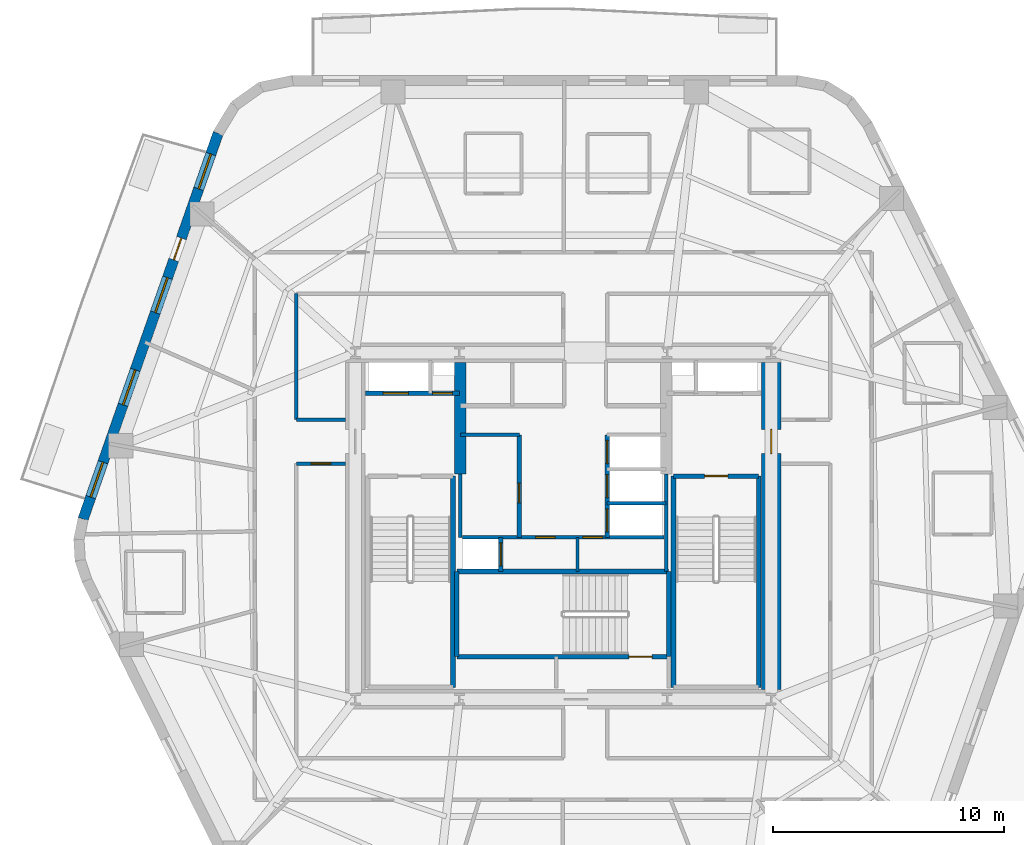
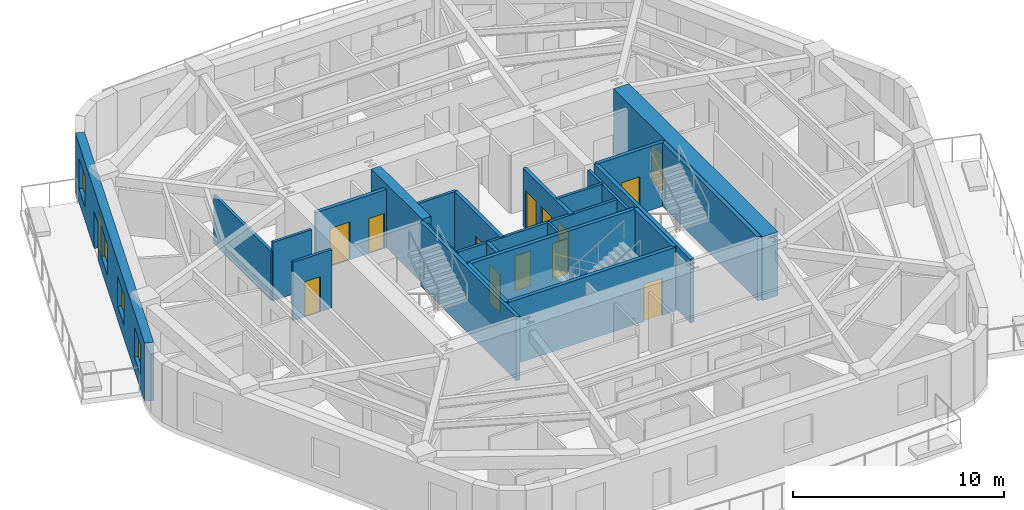
# One storey, part 4 of 11: 24 walls, 14 doors, 4 windows, 18 openings.
"""IFC4 building model written with IfcOpenShell, lengths in metres."""

import ifcopenshell
import ifcopenshell.guid

model = None  # the IFC model being written
_history = None  # IfcOwnerHistory: only IFC2X3 demands one
_inside = {}  # id of a spatial element -> (the spatial element, [elements in it])
_under = {}  # id of a project, library or spatial element -> (it, [spatial elements below it])
_declared = {}  # id of a project -> (the project, [libraries it declares])
_typed = {}  # id of a type object -> (the type object, [elements of that type])
_made_of = {}  # id of a material, layer set ... -> (it, [elements and type objects made of it])


def new_model(schema):
    """Start an empty IFC model of exactly this schema.

    Asked for "IFC4X3", IfcOpenShell would pick the latest addendum, in which some entities
    have other attributes; the version numbers below select the first issue.
    IFC2X3 requires an IfcOwnerHistory on every rooted entity: one is made here for all.
    """
    global model, _history
    if schema == "IFC4X3":
        model = ifcopenshell.file(schema_version=(4, 3, 0, 0))
    else:
        model = ifcopenshell.file(schema=schema)
    _inside.clear()
    _under.clear()
    _declared.clear()
    _typed.clear()
    _made_of.clear()
    _history = None
    if model.schema == "IFC2X3":
        org = make("IfcOrganization", Name="unknown")
        user = make(
            "IfcPersonAndOrganization",
            ThePerson=make("IfcPerson", FamilyName="unknown"),
            TheOrganization=org,
        )
        app = make(
            "IfcApplication",
            ApplicationDeveloper=org,
            Version="unknown",
            ApplicationFullName="unknown",
            ApplicationIdentifier="unknown",
        )
        _history = make(
            "IfcOwnerHistory",
            OwningUser=user,
            OwningApplication=app,
            ChangeAction="ADDED",
            CreationDate=0,
        )
    return model


def make(cls, **values):
    """One entity of the class cls with the attributes given. An attribute that is None is left unset."""
    return model.create_entity(
        cls, **{name: value for name, value in values.items() if value is not None}
    )


def rooted(cls, **values):
    """An entity with a GlobalId (a new one), such as an element, a storey or a relation."""
    return make(cls, GlobalId=ifcopenshell.guid.new(), OwnerHistory=_history, **values)


def si_unit(unit_type, name, prefix=None):
    """IfcSIUnit, for example si_unit("LENGTHUNIT", "METRE", prefix="MILLI")."""
    return make("IfcSIUnit", UnitType=unit_type, Prefix=prefix, Name=name)


def assignment(units):
    """IfcUnitAssignment: the units of a project."""
    return None if units is None else make("IfcUnitAssignment", Units=units)


def point(xyz):
    """IfcCartesianPoint."""
    return None if xyz is None else make("IfcCartesianPoint", Coordinates=xyz)


def direction(xyz):
    """IfcDirection."""
    return None if xyz is None else make("IfcDirection", DirectionRatios=xyz)


def frame(location, z_axis=None, x_axis=None):
    """IfcAxis2Placement3D, a coordinate frame: its origin and axes. An axis left out is left unset."""
    return make(
        "IfcAxis2Placement3D",
        Location=point(location),
        Axis=direction(z_axis),
        RefDirection=direction(x_axis),
    )


def frame_2d(location, x_axis=None):
    """IfcAxis2Placement2D, a coordinate frame in the plane: its origin and x axis."""
    return make(
        "IfcAxis2Placement2D", Location=point(location), RefDirection=direction(x_axis)
    )


def origin():
    """The frame at (0, 0, 0) with its axes left unset."""
    return frame((0.0, 0.0, 0.0))


def place(relative_to, where):
    """IfcLocalPlacement: puts the frame where relative to a parent placement (None: the world)."""
    return make(
        "IfcLocalPlacement", PlacementRelTo=relative_to, RelativePlacement=where
    )


def context(
    kind, dimensions, precision=None, world=None, true_north=None, identifier=None
):
    """IfcGeometricRepresentationContext, for example the 3D "Model" context."""
    return make(
        "IfcGeometricRepresentationContext",
        ContextIdentifier=identifier,
        ContextType=kind,
        CoordinateSpaceDimension=dimensions,
        Precision=precision,
        WorldCoordinateSystem=world,
        TrueNorth=true_north,
    )


def subcontext(parent, identifier, kind, view, scale=None):
    """IfcGeometricRepresentationSubContext, for example "Body" below "Model"."""
    return make(
        "IfcGeometricRepresentationSubContext",
        ContextIdentifier=identifier,
        ContextType=kind,
        ParentContext=parent,
        TargetScale=scale,
        TargetView=view,
    )


def project(units=None, contexts=None):
    """IfcProject with its units and contexts."""
    return rooted(
        "IfcProject",
        Name="project",
        RepresentationContexts=contexts,
        UnitsInContext=assignment(units),
    )


def spatial(cls, under=None, at=None, **own):
    """A site, building, storey or space (cls), placed at a placement, below another one or the project."""
    s = rooted(cls, ObjectPlacement=at, **own)
    if under is not None:
        _under.setdefault(under.id(), (under, []))[1].append(s)
    return s


def profile(cls, at=None, kind="AREA", **sizes):
    """A parametric profile (cls). Its sizes go by their IFC names, for example OverallWidth=200.0."""
    return make(cls, ProfileType=kind, Position=at, **sizes)


def rectangle(**sizes):
    """IfcRectangleProfileDef."""
    return profile("IfcRectangleProfileDef", **sizes)


def extrude(swept, where, along, depth):
    """IfcExtrudedAreaSolid: the profile swept, set in the frame where, extruded along a direction by depth."""
    return make(
        "IfcExtrudedAreaSolid",
        SweptArea=swept,
        Position=where,
        ExtrudedDirection=direction(along),
        Depth=depth,
    )


def shape(context_of_items, identifier, shape_type, items):
    """IfcShapeRepresentation: the items that make up one representation, for example the "Body"."""
    return make(
        "IfcShapeRepresentation",
        ContextOfItems=context_of_items,
        RepresentationIdentifier=identifier,
        RepresentationType=shape_type,
        Items=items,
    )


def material(Name=None, Category=None):
    """IfcMaterial."""
    return make("IfcMaterial", Name=Name, Category=Category)


def layer(
    of_material, thickness, ventilated=None, Name=None, Category=None, Priority=None
):
    """IfcMaterialLayer: one layer of a wall or slab, of a material (None: an air gap)."""
    return make(
        "IfcMaterialLayer",
        Material=of_material,
        LayerThickness=thickness,
        IsVentilated=ventilated,
        Name=Name,
        Category=Category,
        Priority=Priority,
    )


def layer_set(layers, Name=None):
    """IfcMaterialLayerSet."""
    return make("IfcMaterialLayerSet", MaterialLayers=layers, LayerSetName=Name)


def made_of(thing, what):
    """Note that an element or type object is made of a material, layer set ...; save() writes the relation."""
    if what is not None:
        _made_of.setdefault(what.id(), (what, []))[1].append(thing)
    return thing


def type_object(cls, material=None, **own):
    """A type object (cls), such as IfcWallType, which elements share."""
    return made_of(rooted(cls, **own), material)


def element(
    cls,
    number,
    at=None,
    inside=None,
    cuts=None,
    type_object=None,
    material=None,
    context=None,
    identifier="Body",
    shape_type=None,
    held_by="IfcProductDefinitionShape",
    body=None,
    shapes=None,
    **own,
):
    """One element of the class cls, such as IfcWall. Its Tag is "e" and its number.

    at: its placement. inside: the storey or other place that contains it. cuts: it is an
    opening in that element (IfcRelVoidsElement). A single representation is given by context,
    identifier, shape_type and body (its items); several are given by shapes. held_by: the class
    of the entity that holds the representations. save() writes the other relations.
    """
    e = rooted(cls, Tag="e%d" % number, ObjectPlacement=at, **own)
    if body is not None:
        shapes = [shape(context, identifier, shape_type, body)]
    if shapes is not None:
        e.Representation = make(held_by, Representations=shapes)
    if inside is not None:
        _inside.setdefault(inside.id(), (inside, []))[1].append(e)
    if cuts is not None:
        rooted(
            "IfcRelVoidsElement", RelatingBuildingElement=cuts, RelatedOpeningElement=e
        )
    if type_object is not None:
        _typed.setdefault(type_object.id(), (type_object, []))[1].append(e)
    return made_of(e, material)


def fill(opening, filler):
    """IfcRelFillsElement: the door or window that sits in an opening."""
    return rooted(
        "IfcRelFillsElement",
        RelatingOpeningElement=opening,
        RelatedBuildingElement=filler,
    )


def aggregate(whole, parts):
    """IfcRelAggregates: a whole, such as a stair, and the parts it consists of."""
    return rooted("IfcRelAggregates", RelatingObject=whole, RelatedObjects=parts)


def save(model, path):
    """Write the relations noted so far, then the file.

    IfcRelAggregates (storeys below a building ...), IfcRelContainedInSpatialStructure (elements
    in a storey), IfcRelDefinesByType, IfcRelAssociatesMaterial and IfcRelDeclares: one each for
    every whole, place, type object, material and project.
    """
    for whole, parts in _under.values():
        aggregate(whole, parts)
    for where, things in _inside.values():
        rooted(
            "IfcRelContainedInSpatialStructure",
            RelatedElements=things,
            RelatingStructure=where,
        )
    for kind, things in _typed.values():
        rooted("IfcRelDefinesByType", RelatedObjects=things, RelatingType=kind)
    for what, things in _made_of.values():
        rooted("IfcRelAssociatesMaterial", RelatedObjects=things, RelatingMaterial=what)
    for by, libraries in _declared.values():
        rooted("IfcRelDeclares", RelatingContext=by, RelatedDefinitions=libraries)
    model.write(path)


model = new_model("IFC4")

# Units and contexts
model_context = context("Model", 3, precision=1e-05, world=origin(), true_north=direction((0.0, 1.0)))
body_context = subcontext(model_context, "Body", "Model", "MODEL_VIEW")
ifc_project = project(units=[si_unit("LENGTHUNIT", "METRE"), si_unit("AREAUNIT", "SQUARE_METRE"), si_unit("VOLUMEUNIT", "CUBIC_METRE"), si_unit("PLANEANGLEUNIT", "RADIAN"), si_unit("MASSUNIT", "GRAM", prefix="KILO")], contexts=[model_context])

# Site, building, storey
site_placement = place(None, origin())
site = spatial("IfcSite", under=ifc_project, at=site_placement, CompositionType="ELEMENT")
building_placement = place(site_placement, origin())
building = spatial("IfcBuilding", under=site, at=building_placement, Name="Kilnhurst Terrace Hotel", CompositionType="ELEMENT")
storey_placement = place(building_placement, frame((0.0, 0.0, 166.5)))
storey = spatial("IfcBuildingStorey", under=building, at=storey_placement, Name="L41", CompositionType="ELEMENT", Elevation=166.5)

# Wall, openings, door, windows
ifc_material_1 = material(Name="Precast concrete C40/50", Category="concrete")
ifc_layer_1 = layer(ifc_material_1, 0.449951171875, Name="Precast concrete C40/50")
ifc_layer_set_1 = layer_set([ifc_layer_1], Name="Precast concrete C40/50")
wall_type_1 = type_object("IfcWallType", Name="WL-BRK-450", PredefinedType="SOLIDWALL", material=ifc_layer_set_1)
wall_1_placement = place(storey_placement, frame((-14.936767578125, 16.993408203125, 0.0), z_axis=(0.0, 0.0, 1.0), x_axis=(-0.330431575061, -0.943829949834, 0.0)))
wall_1 = element("IfcWall", 1, at=wall_1_placement, inside=storey, type_object=wall_type_1, Name="L41 Exterior Brick Facade Wall F5", PredefinedType="SOLIDWALL", context=body_context, shape_type="SweptSolid", body=[
    extrude(rectangle(XDim=17.68896484375, YDim=0.449951171875, at=frame_2d((8.844482421875, 0.0))), origin(), (0.0, 0.0, 1.0), 3.3798828125),
])
opening_1_placement = place(wall_1_placement, frame((4.806884765625, 0.0, 0.0)))
opening_1 = element("IfcOpeningElement", 2, at=opening_1_placement, cuts=wall_1, Name="Opening BD-1000", PredefinedType="OPENING", context=body_context, shape_type="SweptSolid", body=[
    extrude(rectangle(XDim=1.0, YDim=2.14990234375, at=frame_2d((0.5, 1.074951171875))), frame((0.0, 0.23486328125, 0.0), z_axis=(0.0, -1.0, 0.0), x_axis=(1.0, 0.0, 0.0)), (0.0, 0.0, 1.0), 0.469970703125),
])
opening_2_placement = place(wall_1_placement, frame((0.949951171875, 0.0, 0.800048828125)))
opening_2 = element("IfcOpeningElement", 3, at=opening_2_placement, cuts=wall_1, Name="Opening W-05", PredefinedType="OPENING", context=body_context, shape_type="SweptSolid", body=[
    extrude(rectangle(XDim=1.60009765625, YDim=1.75, at=frame_2d((0.800048828125, 0.875))), frame((0.0, 0.23486328125, 0.0), z_axis=(0.0, -1.0, 0.0), x_axis=(1.0, 0.0, 0.0)), (0.0, 0.0, 1.0), 0.469970703125),
])
opening_3_placement = place(wall_1_placement, frame((6.623046875, 0.0, 0.800048828125)))
opening_3 = element("IfcOpeningElement", 4, at=opening_3_placement, cuts=wall_1, Name="Opening W-05", PredefinedType="OPENING", context=body_context, shape_type="SweptSolid", body=[
    extrude(rectangle(XDim=1.60009765625, YDim=1.75, at=frame_2d((0.800048828125, 0.875))), frame((0.0, 0.23486328125, 0.0), z_axis=(0.0, -1.0, 0.0), x_axis=(1.0, 0.0, 0.0)), (0.0, 0.0, 1.0), 0.469970703125),
])
opening_4_placement = place(wall_1_placement, frame((10.84912109375, 0.0, 0.800048828125)))
opening_4 = element("IfcOpeningElement", 5, at=opening_4_placement, cuts=wall_1, Name="Opening W-05", PredefinedType="OPENING", context=body_context, shape_type="SweptSolid", body=[
    extrude(rectangle(XDim=1.60009765625, YDim=1.75, at=frame_2d((0.800048828125, 0.875))), frame((0.0, 0.23486328125, 0.0), z_axis=(0.0, -1.0, 0.0), x_axis=(1.0, 0.0, 0.0)), (0.0, 0.0, 1.0), 0.469970703125),
])
opening_5_placement = place(wall_1_placement, frame((15.083984375, 0.0, 0.800048828125)))
opening_5 = element("IfcOpeningElement", 6, at=opening_5_placement, cuts=wall_1, Name="Opening W-05", PredefinedType="OPENING", context=body_context, shape_type="SweptSolid", body=[
    extrude(rectangle(XDim=1.60009765625, YDim=1.75, at=frame_2d((0.800048828125, 0.875))), frame((0.0, 0.23486328125, 0.0), z_axis=(0.0, -1.0, 0.0), x_axis=(1.0, 0.0, 0.0)), (0.0, 0.0, 1.0), 0.469970703125),
])
ifc_material_2 = material(Name="Thermally Broken Bronze Aluminium Alloy 6063-T6 and Laminated Glass", Category="aluminium")
door_type_1 = type_object("IfcDoorType", Name="DR-EXT-BAL-1000", OperationType="NOTDEFINED", PredefinedType="DOOR", material=ifc_material_2)
door_1_placement = place(opening_1_placement, origin())
door_1 = element("IfcDoor", 7, at=door_1_placement, inside=storey, type_object=door_type_1, Name="L41 Planted Balcony Door BAL-L2B", OperationType="SINGLE_SWING_LEFT", OverallHeight=2.14990234375, OverallWidth=1.0, PredefinedType="DOOR", context=body_context, shape_type="SweptSolid", body=[
    extrude(rectangle(XDim=1.0, YDim=2.14990234375, at=frame_2d((0.5, 1.074951171875))), frame((0.0, 0.02490234375, 0.0), z_axis=(0.0, -1.0, 0.0), x_axis=(1.0, 0.0, 0.0)), (0.0, 0.0, 1.0), 0.050048828125),
])
fill(opening_1, door_1)
ifc_material_3 = material(Name="Thermally Broken Bronze Aluminium Alloy 6063-T6 and Low-E Glass", Category="aluminium")
window_type = type_object("IfcWindowType", Name="WIN-1600X1750", PartitioningType="SINGLE_PANEL", PredefinedType="WINDOW", material=ifc_material_3)
window_1_placement = place(opening_2_placement, origin())
window_1 = element("IfcWindow", 8, at=window_1_placement, inside=storey, type_object=window_type, Name="L41 Deep-Set Masonry Window F5.1", OverallHeight=1.75, OverallWidth=1.60009765625, PartitioningType="SINGLE_PANEL", PredefinedType="WINDOW", context=body_context, shape_type="SweptSolid", body=[
    extrude(rectangle(XDim=1.60009765625, YDim=1.75, at=frame_2d((0.800048828125, 0.875))), frame((0.0, 0.030029296875, 0.0), z_axis=(0.0, -1.0, 0.0), x_axis=(1.0, 0.0, 0.0)), (0.0, 0.0, 1.0), 0.06005859375),
])
fill(opening_2, window_1)
window_2_placement = place(opening_3_placement, origin())
window_2 = element("IfcWindow", 9, at=window_2_placement, inside=storey, type_object=window_type, Name="L41 Deep-Set Masonry Window F5.2", OverallHeight=1.75, OverallWidth=1.60009765625, PartitioningType="SINGLE_PANEL", PredefinedType="WINDOW", context=body_context, shape_type="SweptSolid", body=[
    extrude(rectangle(XDim=1.60009765625, YDim=1.75, at=frame_2d((0.800048828125, 0.875))), frame((0.0, 0.030029296875, 0.0), z_axis=(0.0, -1.0, 0.0), x_axis=(1.0, 0.0, 0.0)), (0.0, 0.0, 1.0), 0.06005859375),
])
fill(opening_3, window_2)
window_3_placement = place(opening_4_placement, origin())
window_3 = element("IfcWindow", 10, at=window_3_placement, inside=storey, type_object=window_type, Name="L41 Deep-Set Masonry Window F5.3", OverallHeight=1.75, OverallWidth=1.60009765625, PartitioningType="SINGLE_PANEL", PredefinedType="WINDOW", context=body_context, shape_type="SweptSolid", body=[
    extrude(rectangle(XDim=1.60009765625, YDim=1.75, at=frame_2d((0.800048828125, 0.875))), frame((0.0, 0.030029296875, 0.0), z_axis=(0.0, -1.0, 0.0), x_axis=(1.0, 0.0, 0.0)), (0.0, 0.0, 1.0), 0.06005859375),
])
fill(opening_4, window_3)
window_4_placement = place(opening_5_placement, origin())
window_4 = element("IfcWindow", 11, at=window_4_placement, inside=storey, type_object=window_type, Name="L41 Deep-Set Masonry Window F5.4", OverallHeight=1.75, OverallWidth=1.60009765625, PartitioningType="SINGLE_PANEL", PredefinedType="WINDOW", context=body_context, shape_type="SweptSolid", body=[
    extrude(rectangle(XDim=1.60009765625, YDim=1.75, at=frame_2d((0.800048828125, 0.875))), frame((0.0, 0.030029296875, 0.0), z_axis=(0.0, -1.0, 0.0), x_axis=(1.0, 0.0, 0.0)), (0.0, 0.0, 1.0), 0.06005859375),
])
fill(opening_5, window_4)

# Walls
ifc_material_4 = material(Name="Acoustic Double-Gypsum Corridor Partition Assembly")
ifc_layer_2 = layer(ifc_material_4, 0.14990234375, Name="Acoustic Double-Gypsum Corridor Partition Assembly")
ifc_layer_set_2 = layer_set([ifc_layer_2], Name="Acoustic Double-Gypsum Corridor Partition Assembly")
wall_type_2 = type_object("IfcWallType", Name="WL-COR-150", PredefinedType="PARTITIONING", material=ifc_layer_set_2)
wall_2_placement = place(storey_placement, frame((-11.550048828125, 10.050048828125, 0.0), z_axis=(0.0, 0.0, 1.0), x_axis=(0.0, -1.0, 0.0)))
element("IfcWall", 12, at=wall_2_placement, inside=storey, type_object=wall_type_2, Name="L41 Interior Wall WL-L41-COR-13", PredefinedType="PARTITIONING", context=body_context, shape_type="SweptSolid", body=[
    extrude(rectangle(XDim=5.449951171875, YDim=0.14990234375, at=frame_2d((2.72509765625, 0.0))), origin(), (0.0, 0.0, 1.0), 2.820068359375),
])
wall_3_placement = place(storey_placement, frame((-11.550048828125, 4.60009765625, 0.0), z_axis=(0.0, 0.0, 1.0), x_axis=(1.0, 0.0, 0.0)))
element("IfcWall", 13, at=wall_3_placement, inside=storey, type_object=wall_type_2, Name="L41 Interior Wall WL-L41-COR-14", PredefinedType="PARTITIONING", context=body_context, shape_type="SweptSolid", body=[
    extrude(rectangle(XDim=2.125, YDim=0.14990234375, at=frame_2d((1.0625, 0.0))), origin(), (0.0, 0.0, 1.0), 3.3798828125),
])

# Wall, opening, door
wall_4_placement = place(storey_placement, frame((-9.425048828125, 2.699951171875, 0.0), z_axis=(0.0, 0.0, 1.0), x_axis=(-1.0, 0.0, 0.0)))
wall_4 = element("IfcWall", 14, at=wall_4_placement, inside=storey, type_object=wall_type_2, Name="L41 Interior Wall WL-L41-COR-15", PredefinedType="PARTITIONING", context=body_context, shape_type="SweptSolid", body=[
    extrude(rectangle(XDim=2.125, YDim=0.14990234375, at=frame_2d((1.0625, 0.0))), origin(), (0.0, 0.0, 1.0), 3.3798828125),
])
opening_6_placement = place(wall_4_placement, frame((0.636962890625, 0.0, 0.0)))
opening_6 = element("IfcOpeningElement", 15, at=opening_6_placement, cuts=wall_4, Name="Opening D-60D", PredefinedType="OPENING", context=body_context, shape_type="SweptSolid", body=[
    extrude(rectangle(XDim=0.85009765625, YDim=2.030029296875, at=frame_2d((0.425048828125, 1.01513671875))), frame((0.0, 0.0849609375, 0.0), z_axis=(0.0, -1.0, 0.0), x_axis=(1.0, 0.0, 0.0)), (0.0, 0.0, 1.0), 0.169921875),
])
ifc_material_5 = material(Name="Painted Hollow Metal Steel ASTM A36 Riser Door", Category="steel")
door_type_2 = type_object("IfcDoorType", Name="DR-FD60-850", OperationType="NOTDEFINED", PredefinedType="DOOR", material=ifc_material_5)
door_2_placement = place(opening_6_placement, origin())
door_2 = element("IfcDoor", 16, at=door_2_placement, inside=storey, type_object=door_type_2, Name="L41 Floor Linen Storage Room Door", OperationType="SINGLE_SWING_LEFT", OverallHeight=2.030029296875, OverallWidth=0.85009765625, PredefinedType="DOOR", context=body_context, shape_type="SweptSolid", body=[
    extrude(rectangle(XDim=0.85009765625, YDim=2.030029296875, at=frame_2d((0.425048828125, 1.01513671875))), frame((0.0, 0.02490234375, 0.0), z_axis=(0.0, -1.0, 0.0), x_axis=(1.0, 0.0, 0.0)), (0.0, 0.0, 1.0), 0.050048828125),
])
fill(opening_6, door_2)

ifc_material_6 = material(Name="Concrete C80/95", Category="concrete")
ifc_layer_3 = layer(ifc_material_6, 0.85009765625, Name="Concrete C80/95")
ifc_layer_set_3 = layer_set([ifc_layer_3], Name="Concrete C80/95")
wall_type_3 = type_object("IfcWallType", Name="WL-CORE-850", PredefinedType="SHEAR", material=ifc_layer_set_3)
wall_5_placement = place(storey_placement, frame((9.0, -7.074951171875, 0.0), z_axis=(0.0, 0.0, 1.0), x_axis=(0.0, 1.0, 0.0)))
wall_5 = element("IfcWall", 17, at=wall_5_placement, inside=storey, type_object=wall_type_3, Name="L41 Core East Shear Wall", PredefinedType="SHEAR", context=body_context, shape_type="SweptSolid", body=[
    extrude(rectangle(XDim=14.14990234375, YDim=0.85009765625, at=frame_2d((7.074951171875, 0.0))), origin(), (0.0, 0.0, 1.0), 3.699951171875),
])
opening_7_placement = place(wall_5_placement, frame((10.199951171875, 0.0, 0.0)))
opening_7 = element("IfcOpeningElement", 18, at=opening_7_placement, cuts=wall_5, Name="Opening D-90A", PredefinedType="OPENING", context=body_context, shape_type="SweptSolid", body=[
    extrude(rectangle(XDim=1.050048828125, YDim=2.14990234375, at=frame_2d((0.52490234375, 1.074951171875))), frame((0.0, 0.43505859375, 0.0), z_axis=(0.0, -1.0, 0.0), x_axis=(1.0, 0.0, 0.0)), (0.0, 0.0, 1.0), 0.8701171875),
])
ifc_material_7 = material(Name="Painted Hollow Metal Steel ASTM A36 Fire Door", Category="steel")
door_type_3 = type_object("IfcDoorType", Name="DR-FD90-1050", OperationType="NOTDEFINED", PredefinedType="DOOR", material=ifc_material_7)
door_3_placement = place(opening_7_placement, origin())
door_3 = element("IfcDoor", 19, at=door_3_placement, inside=storey, type_object=door_type_3, Name="L41 East Firefighting Lobby Door", OperationType="SINGLE_SWING_LEFT", OverallHeight=2.14990234375, OverallWidth=1.050048828125, PredefinedType="DOOR", context=body_context, shape_type="SweptSolid", body=[
    extrude(rectangle(XDim=1.050048828125, YDim=2.14990234375, at=frame_2d((0.52490234375, 1.074951171875))), frame((0.0, 0.02490234375, 0.0), z_axis=(0.0, -1.0, 0.0), x_axis=(1.0, 0.0, 0.0)), (0.0, 0.0, 1.0), 0.050048828125),
])
fill(opening_7, door_3)

# Walls
ifc_material_8 = material(Name="Concrete C60/75", Category="concrete")
ifc_layer_4 = layer(ifc_material_8, 0.5, Name="Concrete C60/75")
ifc_layer_set_4 = layer_set([ifc_layer_4], Name="Concrete C60/75")
wall_type_4 = type_object("IfcWallType", Name="WL-CORE-WEB-500", PredefinedType="SHEAR", material=ifc_layer_set_4)
wall_6_placement = place(storey_placement, frame((-4.449951171875, 2.25, 0.0), z_axis=(0.0, 0.0, 1.0), x_axis=(0.0, 1.0, 0.0)))
element("IfcWall", 20, at=wall_6_placement, inside=storey, type_object=wall_type_4, Name="L41 Core Internal West Shear Web", PredefinedType="SHEAR", context=body_context, shape_type="SweptSolid", body=[
    extrude(rectangle(XDim=4.824951171875, YDim=0.5, at=frame_2d((2.41259765625, 0.0))), origin(), (0.0, 0.0, 1.0), 3.699951171875),
])
ifc_material_9 = material(Name="120 mm Moisture-Resistant Tile-Backed Bathroom Partition")
ifc_layer_5 = layer(ifc_material_9, 0.1201171875, Name="120 mm Moisture-Resistant Tile-Backed Bathroom Partition")
ifc_layer_set_5 = layer_set([ifc_layer_5], Name="120 mm Moisture-Resistant Tile-Backed Bathroom Partition")
wall_type_5 = type_object("IfcWallType", Name="WL-PART-120", PredefinedType="PARTITIONING", material=ifc_layer_set_5)
wall_7_placement = place(storey_placement, frame((0.6201171875, -1.971923828125, 0.0), z_axis=(0.0, 0.0, 1.0), x_axis=(0.0, 1.0, 0.0)))
element("IfcWall", 21, at=wall_7_placement, inside=storey, type_object=wall_type_5, Name="L41 Interior Wall WL-L41-BOH-C1", PredefinedType="PARTITIONING", context=body_context, shape_type="SweptSolid", body=[
    extrude(rectangle(XDim=1.471923828125, YDim=0.1201171875, at=frame_2d((0.73583984375, 0.0))), origin(), (0.0, 0.0, 1.0), 3.3798828125),
])
ifc_material_10 = material(Name="Fire-Rated Gypsum Shaftliner Assembly")
ifc_layer_6 = layer(ifc_material_10, 0.14990234375, Name="Fire-Rated Gypsum Shaftliner Assembly")
ifc_layer_set_6 = layer_set([ifc_layer_6], Name="Fire-Rated Gypsum Shaftliner Assembly")
wall_type_6 = type_object("IfcWallType", Name="WL-SHAFT-150", PredefinedType="PARTITIONING", material=ifc_layer_set_6)
wall_8_placement = place(storey_placement, frame((-4.449951171875, -0.5, 0.0), z_axis=(0.0, 0.0, 1.0), x_axis=(0.0, 1.0, 0.0)))
element("IfcWall", 22, at=wall_8_placement, inside=storey, type_object=wall_type_6, Name="L41 Interior Wall WL-L41-XLOB-W", PredefinedType="PARTITIONING", context=body_context, shape_type="SweptSolid", body=[
    extrude(rectangle(XDim=2.75, YDim=0.14990234375, at=frame_2d((1.375, 0.0))), origin(), (0.0, 0.0, 1.0), 3.3798828125),
])
wall_9_placement = place(storey_placement, frame((4.449951171875, -1.971923828125, 0.0), z_axis=(0.0, 0.0, 1.0), x_axis=(0.0, 1.0, 0.0)))
element("IfcWall", 23, at=wall_9_placement, inside=storey, type_object=wall_type_6, Name="L41 Interior Wall WL-L41-XLOB-E", PredefinedType="PARTITIONING", context=body_context, shape_type="SweptSolid", body=[
    extrude(rectangle(XDim=4.221923828125, YDim=0.14990234375, at=frame_2d((2.11083984375, 0.0))), origin(), (0.0, 0.0, 1.0), 3.3798828125),
])
for number, where, z_axis, x_axis, name in (
    (24, (-4.449951171875, 3.93994140625, 0.0), (0.0, 0.0, 1.0), (1.0, 0.0, 0.0), "L41 Interior Wall WL-L41-LR-NORTH"),
    (25, (1.89990234375, 0.97998046875, 0.0), (0.0, 0.0, 1.0), (1.0, 0.0, 0.0), "L41 Interior Wall WL-L41-MR-D1"),
):
    element("IfcWall", number, at=place(storey_placement, frame(where, z_axis=z_axis, x_axis=x_axis)), inside=storey, type_object=wall_type_6, Name=name, PredefinedType="PARTITIONING", context=body_context, shape_type="SweptSolid", body=[
        extrude(rectangle(XDim=2.550048828125, YDim=0.14990234375, at=frame_2d((1.27490234375, 0.0))), origin(), (0.0, 0.0, 1.0), 3.3798828125),
    ])

# Wall, openings, doors
wall_10_placement = place(storey_placement, frame((-4.360107421875, -0.489990234375, 0.0), z_axis=(0.0, 0.0, 1.0), x_axis=(1.0, 0.0, 0.0)))
wall_10 = element("IfcWall", 26, at=wall_10_placement, inside=storey, type_object=wall_type_6, Name="L41 Interior Wall WL-L41-BOH-N", PredefinedType="PARTITIONING", context=body_context, shape_type="SweptSolid", body=[
    extrude(rectangle(XDim=8.72021484375, YDim=0.14990234375, at=frame_2d((4.360107421875, 0.0))), origin(), (0.0, 0.0, 1.0), 3.3798828125),
])
opening_8_placement = place(wall_10_placement, frame((3.159912109375, 0.0, 0.0)))
opening_8 = element("IfcOpeningElement", 27, at=opening_8_placement, cuts=wall_10, Name="Opening D-60D", PredefinedType="OPENING", context=body_context, shape_type="SweptSolid", body=[
    extrude(rectangle(XDim=0.85009765625, YDim=2.030029296875, at=frame_2d((0.425048828125, 1.01513671875))), frame((0.0, 0.0849609375, 0.0), z_axis=(0.0, -1.0, 0.0), x_axis=(1.0, 0.0, 0.0)), (0.0, 0.0, 1.0), 0.169921875),
])
opening_9_placement = place(wall_10_placement, frame((5.2099609375, 0.0, 0.0)))
opening_9 = element("IfcOpeningElement", 28, at=opening_9_placement, cuts=wall_10, Name="Opening D-60D", PredefinedType="OPENING", context=body_context, shape_type="SweptSolid", body=[
    extrude(rectangle(XDim=0.85009765625, YDim=2.030029296875, at=frame_2d((0.425048828125, 1.01513671875))), frame((0.0, 0.0849609375, 0.0), z_axis=(0.0, -1.0, 0.0), x_axis=(1.0, 0.0, 0.0)), (0.0, 0.0, 1.0), 0.169921875),
])
door_4_placement = place(opening_8_placement, origin())
door_4 = element("IfcDoor", 29, at=door_4_placement, inside=storey, type_object=door_type_2, Name="L41 Housekeeping Laundry Door", OperationType="SINGLE_SWING_LEFT", OverallHeight=2.030029296875, OverallWidth=0.85009765625, PredefinedType="DOOR", context=body_context, shape_type="SweptSolid", body=[
    extrude(rectangle(XDim=0.85009765625, YDim=2.030029296875, at=frame_2d((0.425048828125, 1.01513671875))), frame((0.0, 0.02490234375, 0.0), z_axis=(0.0, -1.0, 0.0), x_axis=(1.0, 0.0, 0.0)), (0.0, 0.0, 1.0), 0.050048828125),
])
fill(opening_8, door_4)
door_5_placement = place(opening_9_placement, origin())
door_5 = element("IfcDoor", 30, at=door_5_placement, inside=storey, type_object=door_type_2, Name="L41 Room Service Kitchen Door", OperationType="SINGLE_SWING_RIGHT", OverallHeight=2.030029296875, OverallWidth=0.85009765625, PredefinedType="DOOR", context=body_context, shape_type="SweptSolid", body=[
    extrude(rectangle(XDim=0.85009765625, YDim=2.030029296875, at=frame_2d((0.425048828125, 1.01513671875))), frame((0.0, 0.02490234375, 0.0), z_axis=(0.0, -1.0, 0.0), x_axis=(1.0, 0.0, 0.0)), (0.0, 0.0, 1.0), 0.050048828125),
])
fill(opening_9, door_5)

ifc_material_11 = material(Name="Autoclaved Aerated Concrete C30/37 and Gypsum Shaft Assembly", Category="concrete")
ifc_layer_7 = layer(ifc_material_11, 0.199951171875, Name="Autoclaved Aerated Concrete C30/37 and Gypsum Shaft Assembly")
ifc_layer_set_7 = layer_set([ifc_layer_7], Name="Autoclaved Aerated Concrete C30/37 and Gypsum Shaft Assembly")
wall_type_7 = type_object("IfcWallType", Name="WL-SHAFT-200", PredefinedType="PARTITIONING", material=ifc_layer_set_7)
wall_11_placement = place(storey_placement, frame((-8.550048828125, 5.739990234375, 0.0), z_axis=(0.0, 0.0, 1.0), x_axis=(1.0, 0.0, 0.0)))
wall_11 = element("IfcWall", 31, at=wall_11_placement, inside=storey, type_object=wall_type_7, Name="L41 Interior Wall WL-L41-FSAE1-S", PredefinedType="PARTITIONING", context=body_context, shape_type="SweptSolid", body=[
    extrude(rectangle(XDim=4.050048828125, YDim=0.199951171875, at=frame_2d((2.02490234375, 0.0))), origin(), (0.0, 0.0, 1.0), 3.3798828125),
])
opening_10_placement = place(wall_11_placement, frame((0.75, 0.0, 0.0)))
opening_10 = element("IfcOpeningElement", 32, at=opening_10_placement, cuts=wall_11, Name="Opening LD-F1", PredefinedType="OPENING", context=body_context, shape_type="SweptSolid", body=[
    extrude(rectangle(XDim=1.10009765625, YDim=2.199951171875, at=frame_2d((0.550048828125, 1.10009765625))), frame((0.0, 0.10986328125, 0.0), z_axis=(0.0, -1.0, 0.0), x_axis=(1.0, 0.0, 0.0)), (0.0, 0.0, 1.0), 0.219970703125),
])
opening_11_placement = place(wall_11_placement, frame((2.89990234375, 0.0, 0.0)))
opening_11 = element("IfcOpeningElement", 33, at=opening_11_placement, cuts=wall_11, Name="Opening D-60D", PredefinedType="OPENING", context=body_context, shape_type="SweptSolid", body=[
    extrude(rectangle(XDim=0.85009765625, YDim=2.030029296875, at=frame_2d((0.425048828125, 1.01513671875))), frame((0.0, 0.10986328125, 0.0), z_axis=(0.0, -1.0, 0.0), x_axis=(1.0, 0.0, 0.0)), (0.0, 0.0, 1.0), 0.219970703125),
])
door_6_placement = place(opening_11_placement, origin())
door_6 = element("IfcDoor", 34, at=door_6_placement, inside=storey, type_object=door_type_2, Name="L41 Electrical Riser Door", OperationType="SINGLE_SWING_LEFT", OverallHeight=2.030029296875, OverallWidth=0.85009765625, PredefinedType="DOOR", context=body_context, shape_type="SweptSolid", body=[
    extrude(rectangle(XDim=0.85009765625, YDim=2.030029296875, at=frame_2d((0.425048828125, 1.01513671875))), frame((0.0, 0.02490234375, 0.0), z_axis=(0.0, -1.0, 0.0), x_axis=(1.0, 0.0, 0.0)), (0.0, 0.0, 1.0), 0.050048828125),
])
fill(opening_11, door_6)
ifc_material_12 = material(Name="Bronze-Anodized Stainless Steel AISI 316L Sliding Door", Category="steel")
door_type_4 = type_object("IfcDoorType", Name="DR-LIFT-1100", OperationType="NOTDEFINED", PredefinedType="DOOR", material=ifc_material_12)
door_7_placement = place(opening_10_placement, origin())
door_7 = element("IfcDoor", 35, at=door_7_placement, inside=storey, type_object=door_type_4, Name="L41 FSAE-1 Landing Door", OperationType="SLIDING_TO_LEFT", OverallHeight=2.199951171875, OverallWidth=1.10009765625, PredefinedType="DOOR", context=body_context, shape_type="SweptSolid", body=[
    extrude(rectangle(XDim=1.10009765625, YDim=2.199951171875, at=frame_2d((0.550048828125, 1.10009765625))), frame((0.0, 0.02490234375, 0.0), z_axis=(0.0, -1.0, 0.0), x_axis=(1.0, 0.0, 0.0)), (0.0, 0.0, 1.0), 0.050048828125),
])
fill(opening_10, door_7)

# Wall, opening, door
wall_12_placement = place(storey_placement, frame((-2.699951171875, -1.971923828125, 0.0), z_axis=(0.0, 0.0, 1.0), x_axis=(0.0, 1.0, 0.0)))
wall_12 = element("IfcWall", 36, at=wall_12_placement, inside=storey, type_object=wall_type_7, Name="L41 Interior Wall WL-L41-SRV1-E", PredefinedType="PARTITIONING", context=body_context, shape_type="SweptSolid", body=[
    extrude(rectangle(XDim=1.471923828125, YDim=0.199951171875, at=frame_2d((0.73583984375, 0.0))), origin(), (0.0, 0.0, 1.0), 3.3798828125),
])
opening_12_placement = place(wall_12_placement, frame((0.239990234375, 0.0, 0.0)))
opening_12 = element("IfcOpeningElement", 37, at=opening_12_placement, cuts=wall_12, Name="Opening LD-SV", PredefinedType="OPENING", context=body_context, shape_type="SweptSolid", body=[
    extrude(rectangle(XDim=1.0, YDim=2.199951171875, at=frame_2d((0.5, 1.10009765625))), frame((0.0, 0.10986328125, 0.0), z_axis=(0.0, -1.0, 0.0), x_axis=(1.0, 0.0, 0.0)), (0.0, 0.0, 1.0), 0.219970703125),
])
door_type_5 = type_object("IfcDoorType", Name="DR-LIFT-1000", OperationType="NOTDEFINED", PredefinedType="DOOR", material=ifc_material_12)
door_8_placement = place(opening_12_placement, origin())
door_8 = element("IfcDoor", 38, at=door_8_placement, inside=storey, type_object=door_type_5, Name="L41 Service Lift SRV-1 Landing Door", OperationType="SLIDING_TO_LEFT", OverallHeight=2.199951171875, OverallWidth=1.0, PredefinedType="DOOR", context=body_context, shape_type="SweptSolid", body=[
    extrude(rectangle(XDim=1.0, YDim=2.199951171875, at=frame_2d((0.5, 1.10009765625))), frame((0.0, 0.02490234375, 0.0), z_axis=(0.0, -1.0, 0.0), x_axis=(1.0, 0.0, 0.0)), (0.0, 0.0, 1.0), 0.050048828125),
])
fill(opening_12, door_8)

wall_13_placement = place(storey_placement, frame((-1.89990234375, -0.5, 0.0), z_axis=(0.0, 0.0, 1.0), x_axis=(0.0, 1.0, 0.0)))
wall_13 = element("IfcWall", 39, at=wall_13_placement, inside=storey, type_object=wall_type_7, Name="L41 Interior Wall WL-L41-LR-FRONT", PredefinedType="PARTITIONING", context=body_context, shape_type="SweptSolid", body=[
    extrude(rectangle(XDim=4.43994140625, YDim=0.199951171875, at=frame_2d((2.219970703125, 0.0))), origin(), (0.0, 0.0, 1.0), 3.3798828125),
])
opening_13_placement = place(wall_13_placement, frame((1.5, 0.0, 0.0)))
opening_13 = element("IfcOpeningElement", 40, at=opening_13_placement, cuts=wall_13, Name="Opening D-60D", PredefinedType="OPENING", context=body_context, shape_type="SweptSolid", body=[
    extrude(rectangle(XDim=0.85009765625, YDim=2.030029296875, at=frame_2d((0.425048828125, 1.01513671875))), frame((0.0, 0.10986328125, 0.0), z_axis=(0.0, -1.0, 0.0), x_axis=(1.0, 0.0, 0.0)), (0.0, 0.0, 1.0), 0.219970703125),
])
door_9_placement = place(opening_13_placement, origin())
door_9 = element("IfcDoor", 41, at=door_9_placement, inside=storey, type_object=door_type_2, Name="L41 Reclaimed Linen Room Door", OperationType="SINGLE_SWING_LEFT", OverallHeight=2.030029296875, OverallWidth=0.85009765625, PredefinedType="DOOR", context=body_context, shape_type="SweptSolid", body=[
    extrude(rectangle(XDim=0.85009765625, YDim=2.030029296875, at=frame_2d((0.425048828125, 1.01513671875))), frame((0.0, 0.02490234375, 0.0), z_axis=(0.0, -1.0, 0.0), x_axis=(1.0, 0.0, 0.0)), (0.0, 0.0, 1.0), 0.050048828125),
])
fill(opening_13, door_9)

# Wall, openings, doors
wall_14_placement = place(storey_placement, frame((1.89990234375, -0.5, 0.0), z_axis=(0.0, 0.0, 1.0), x_axis=(0.0, 1.0, 0.0)))
wall_14 = element("IfcWall", 42, at=wall_14_placement, inside=storey, type_object=wall_type_7, Name="L41 Interior Wall WL-L41-MR-FRONT", PredefinedType="PARTITIONING", context=body_context, shape_type="SweptSolid", body=[
    extrude(rectangle(XDim=4.43994140625, YDim=0.199951171875, at=frame_2d((2.219970703125, 0.0))), origin(), (0.0, 0.0, 1.0), 3.3798828125),
])
opening_14_placement = place(wall_14_placement, frame((0.239990234375, 0.0, 0.0)))
opening_14 = element("IfcOpeningElement", 43, at=opening_14_placement, cuts=wall_14, Name="Opening LD-MR", PredefinedType="OPENING", context=body_context, shape_type="SweptSolid", body=[
    extrude(rectangle(XDim=1.0, YDim=2.199951171875, at=frame_2d((0.5, 1.10009765625))), frame((0.0, 0.10986328125, 0.0), z_axis=(0.0, -1.0, 0.0), x_axis=(1.0, 0.0, 0.0)), (0.0, 0.0, 1.0), 0.219970703125),
])
opening_15_placement = place(wall_14_placement, frame((1.719970703125, 0.0, 0.0)))
opening_15 = element("IfcOpeningElement", 44, at=opening_15_placement, cuts=wall_14, Name="Opening LD-MR", PredefinedType="OPENING", context=body_context, shape_type="SweptSolid", body=[
    extrude(rectangle(XDim=1.0, YDim=2.199951171875, at=frame_2d((0.5, 1.10009765625))), frame((0.0, 0.10986328125, 0.0), z_axis=(0.0, -1.0, 0.0), x_axis=(1.0, 0.0, 0.0)), (0.0, 0.0, 1.0), 0.219970703125),
])
opening_16_placement = place(wall_14_placement, frame((3.199951171875, 0.0, 0.0)))
opening_16 = element("IfcOpeningElement", 45, at=opening_16_placement, cuts=wall_14, Name="Opening LD-MR", PredefinedType="OPENING", context=body_context, shape_type="SweptSolid", body=[
    extrude(rectangle(XDim=1.0, YDim=2.199951171875, at=frame_2d((0.5, 1.10009765625))), frame((0.0, 0.10986328125, 0.0), z_axis=(0.0, -1.0, 0.0), x_axis=(1.0, 0.0, 0.0)), (0.0, 0.0, 1.0), 0.219970703125),
])
door_10_placement = place(opening_14_placement, origin())
door_10 = element("IfcDoor", 46, at=door_10_placement, inside=storey, type_object=door_type_5, Name="L41 Mid Rise Lift MR-1 Landing Door", OperationType="SLIDING_TO_RIGHT", OverallHeight=2.199951171875, OverallWidth=1.0, PredefinedType="DOOR", context=body_context, shape_type="SweptSolid", body=[
    extrude(rectangle(XDim=1.0, YDim=2.199951171875, at=frame_2d((0.5, 1.10009765625))), frame((0.0, 0.02490234375, 0.0), z_axis=(0.0, -1.0, 0.0), x_axis=(1.0, 0.0, 0.0)), (0.0, 0.0, 1.0), 0.050048828125),
])
fill(opening_14, door_10)
door_11_placement = place(opening_15_placement, origin())
door_11 = element("IfcDoor", 47, at=door_11_placement, inside=storey, type_object=door_type_5, Name="L41 Mid Rise Lift MR-2 Landing Door", OperationType="SLIDING_TO_RIGHT", OverallHeight=2.199951171875, OverallWidth=1.0, PredefinedType="DOOR", context=body_context, shape_type="SweptSolid", body=[
    extrude(rectangle(XDim=1.0, YDim=2.199951171875, at=frame_2d((0.5, 1.10009765625))), frame((0.0, 0.02490234375, 0.0), z_axis=(0.0, -1.0, 0.0), x_axis=(1.0, 0.0, 0.0)), (0.0, 0.0, 1.0), 0.050048828125),
])
fill(opening_15, door_11)
door_12_placement = place(opening_16_placement, origin())
door_12 = element("IfcDoor", 48, at=door_12_placement, inside=storey, type_object=door_type_5, Name="L41 Mid Rise Lift MR-3 Landing Door", OperationType="SLIDING_TO_RIGHT", OverallHeight=2.199951171875, OverallWidth=1.0, PredefinedType="DOOR", context=body_context, shape_type="SweptSolid", body=[
    extrude(rectangle(XDim=1.0, YDim=2.199951171875, at=frame_2d((0.5, 1.10009765625))), frame((0.0, 0.02490234375, 0.0), z_axis=(0.0, -1.0, 0.0), x_axis=(1.0, 0.0, 0.0)), (0.0, 0.0, 1.0), 0.050048828125),
])
fill(opening_16, door_12)

# Walls
ifc_material_13 = material(Name="Concrete C50/60", Category="concrete")
ifc_layer_8 = layer(ifc_material_13, 0.199951171875, Name="Concrete C50/60")
ifc_layer_set_8 = layer_set([ifc_layer_8], Name="Concrete C50/60")
wall_type_8 = type_object("IfcWallType", Name="WL-STAIR-RC-200", PredefinedType="SHEAR", material=ifc_layer_set_8)
for number, where, z_axis, x_axis, name in (
    (49, (-4.77197265625, -6.985107421875, 0.0), (0.0, 0.0, 1.0), (0.0, 1.0, 0.0), "L41 Structural Stair Shaft Wall WL-L41-ST1-E"),
    (50, (4.77197265625, -6.985107421875, 0.0), (0.0, 0.0, 1.0), (0.0, 1.0, 0.0), "L41 Structural Stair Shaft Wall WL-L41-ST2-W"),
    (51, (8.4580078125, -6.985107421875, 0.0), (0.0, 0.0, 1.0), (0.0, 1.0, 0.0), "L41 Structural Stair Shaft Wall WL-L41-ST2-E"),
):
    element("IfcWall", number, at=place(storey_placement, frame(where, z_axis=z_axis, x_axis=x_axis)), inside=storey, type_object=wall_type_8, Name=name, PredefinedType="SHEAR", context=body_context, shape_type="SweptSolid", body=[
        extrude(rectangle(XDim=9.14306640625, YDim=0.199951171875, at=frame_2d((4.571533203125, 0.0))), origin(), (0.0, 0.0, 1.0), 3.699951171875),
    ])

# Wall, opening, door
wall_15_placement = place(storey_placement, frame((4.77197265625, 2.157958984375, 0.0), z_axis=(0.0, 0.0, 1.0), x_axis=(1.0, 0.0, 0.0)))
wall_15 = element("IfcWall", 52, at=wall_15_placement, inside=storey, type_object=wall_type_8, Name="L41 Structural Stair Shaft Wall WL-L41-ST2-N", PredefinedType="SHEAR", context=body_context, shape_type="SweptSolid", body=[
    extrude(rectangle(XDim=3.68603515625, YDim=0.199951171875, at=frame_2d((1.843017578125, 0.0))), origin(), (0.0, 0.0, 1.0), 3.699951171875),
])
opening_17_placement = place(wall_15_placement, frame((1.35009765625, 0.0, 0.0)))
opening_17 = element("IfcOpeningElement", 53, at=opening_17_placement, cuts=wall_15, Name="Opening D-90B", PredefinedType="OPENING", context=body_context, shape_type="SweptSolid", body=[
    extrude(rectangle(XDim=1.0, YDim=2.14990234375, at=frame_2d((0.5, 1.074951171875))), frame((0.0, 0.10986328125, 0.0), z_axis=(0.0, -1.0, 0.0), x_axis=(1.0, 0.0, 0.0)), (0.0, 0.0, 1.0), 0.219970703125),
])
door_type_6 = type_object("IfcDoorType", Name="DR-FD90-1000", OperationType="NOTDEFINED", PredefinedType="DOOR", material=ifc_material_7)
door_13_placement = place(opening_17_placement, origin())
door_13 = element("IfcDoor", 54, at=door_13_placement, inside=storey, type_object=door_type_6, Name="L41 Stair ST-2 Door", OperationType="SINGLE_SWING_RIGHT", OverallHeight=2.14990234375, OverallWidth=1.0, PredefinedType="DOOR", context=body_context, shape_type="SweptSolid", body=[
    extrude(rectangle(XDim=1.0, YDim=2.14990234375, at=frame_2d((0.5, 1.074951171875))), frame((0.0, 0.02490234375, 0.0), z_axis=(0.0, -1.0, 0.0), x_axis=(1.0, 0.0, 0.0)), (0.0, 0.0, 1.0), 0.050048828125),
])
fill(opening_17, door_13)

# Wall
wall_16_placement = place(storey_placement, frame((-4.60791015625, -5.657958984375, 0.0), z_axis=(0.0, 0.0, 1.0), x_axis=(0.0, 1.0, 0.0)))
element("IfcWall", 55, at=wall_16_placement, inside=storey, type_object=wall_type_8, Name="L41 Structural Stair Shaft Wall WL-L41-ST3-W", PredefinedType="SHEAR", context=body_context, shape_type="SweptSolid", body=[
    extrude(rectangle(XDim=3.68603515625, YDim=0.199951171875, at=frame_2d((1.843017578125, 0.0))), origin(), (0.0, 0.0, 1.0), 3.699951171875),
])

# Wall, opening, door
wall_17_placement = place(storey_placement, frame((-4.60791015625, -5.657958984375, 0.0), z_axis=(0.0, 0.0, 1.0), x_axis=(1.0, 0.0, 0.0)))
wall_17 = element("IfcWall", 56, at=wall_17_placement, inside=storey, type_object=wall_type_8, Name="L41 Structural Stair Shaft Wall WL-L41-ST3-S", PredefinedType="SHEAR", context=body_context, shape_type="SweptSolid", body=[
    extrude(rectangle(XDim=9.166015625, YDim=0.199951171875, at=frame_2d((4.5830078125, 0.0))), origin(), (0.0, 0.0, 1.0), 3.699951171875),
])
opening_18_placement = place(wall_17_placement, frame((7.449951171875, 0.0, 0.0)))
opening_18 = element("IfcOpeningElement", 57, at=opening_18_placement, cuts=wall_17, Name="Opening D-90B", PredefinedType="OPENING", context=body_context, shape_type="SweptSolid", body=[
    extrude(rectangle(XDim=1.0, YDim=2.14990234375, at=frame_2d((0.5, 1.074951171875))), frame((0.0, 0.10986328125, 0.0), z_axis=(0.0, -1.0, 0.0), x_axis=(1.0, 0.0, 0.0)), (0.0, 0.0, 1.0), 0.219970703125),
])
door_14_placement = place(opening_18_placement, origin())
door_14 = element("IfcDoor", 58, at=door_14_placement, inside=storey, type_object=door_type_6, Name="L41 Stair ST-3 Shaft Door", OperationType="SINGLE_SWING_LEFT", OverallHeight=2.14990234375, OverallWidth=1.0, PredefinedType="DOOR", context=body_context, shape_type="SweptSolid", body=[
    extrude(rectangle(XDim=1.0, YDim=2.14990234375, at=frame_2d((0.5, 1.074951171875))), frame((0.0, 0.02490234375, 0.0), z_axis=(0.0, -1.0, 0.0), x_axis=(1.0, 0.0, 0.0)), (0.0, 0.0, 1.0), 0.050048828125),
])
fill(opening_18, door_14)

# Walls
wall_18_placement = place(storey_placement, frame((-4.60791015625, -1.971923828125, 0.0), z_axis=(0.0, 0.0, 1.0), x_axis=(1.0, 0.0, 0.0)))
element("IfcWall", 59, at=wall_18_placement, inside=storey, type_object=wall_type_8, Name="L41 Structural Stair Shaft Wall WL-L41-ST3-N", PredefinedType="SHEAR", context=body_context, shape_type="SweptSolid", body=[
    extrude(rectangle(XDim=9.166015625, YDim=0.199951171875, at=frame_2d((4.5830078125, 0.0))), origin(), (0.0, 0.0, 1.0), 3.699951171875),
])
wall_19_placement = place(storey_placement, frame((4.55810546875, -5.657958984375, 0.0), z_axis=(0.0, 0.0, 1.0), x_axis=(0.0, 1.0, 0.0)))
element("IfcWall", 60, at=wall_19_placement, inside=storey, type_object=wall_type_8, Name="L41 Structural Stair Shaft Wall WL-L41-ST3-E", PredefinedType="SHEAR", context=body_context, shape_type="SweptSolid", body=[
    extrude(rectangle(XDim=3.68603515625, YDim=0.199951171875, at=frame_2d((1.843017578125, 0.0))), origin(), (0.0, 0.0, 1.0), 3.699951171875),
])

save(model, "model.ifc")
